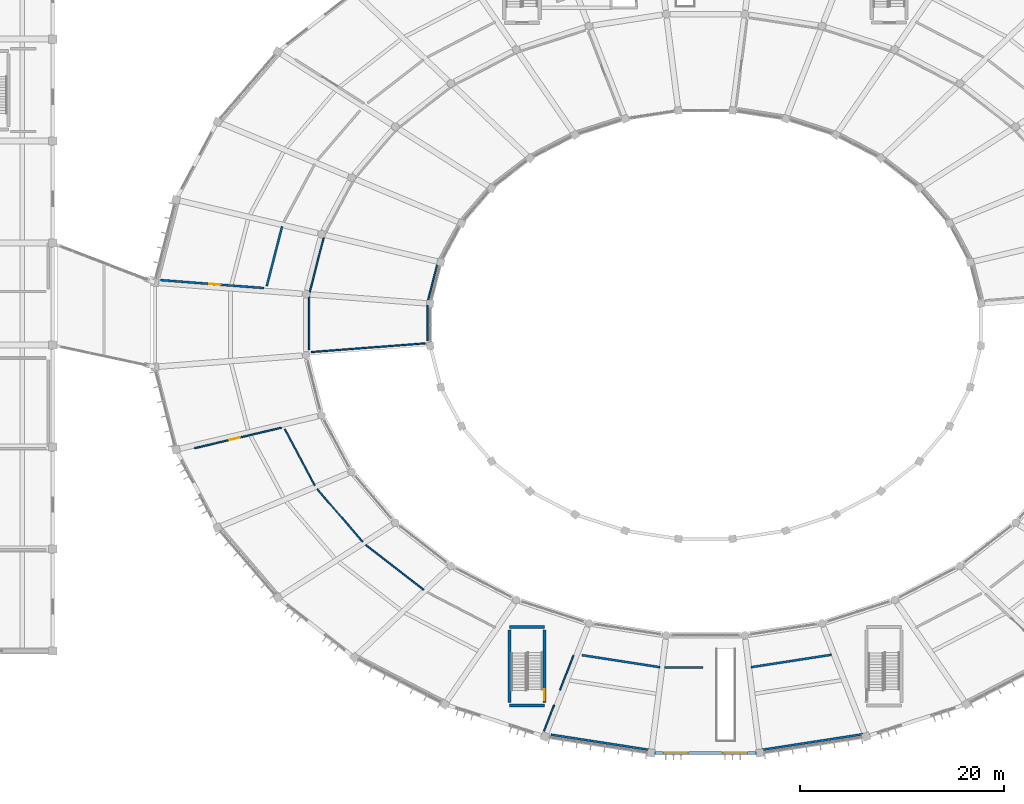
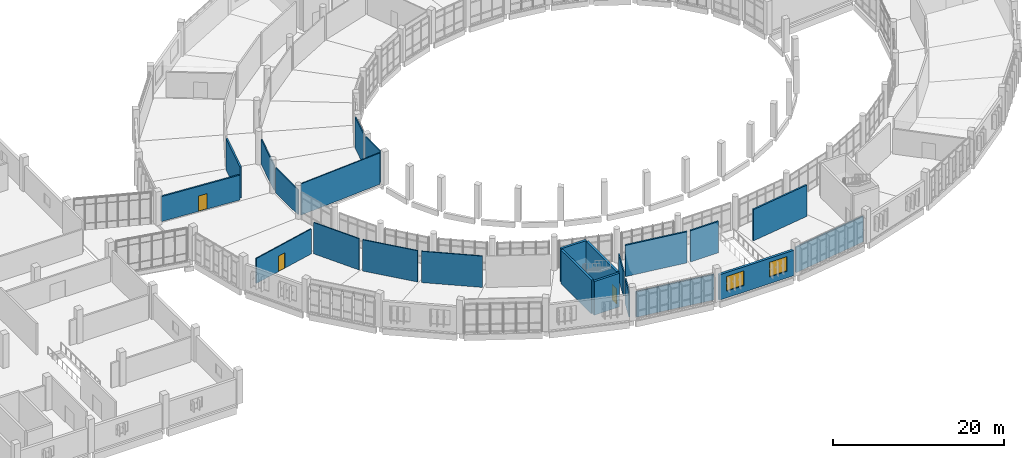
# One storey, part 116 of 179: 23 walls, 3 doors, 2 windows, 5 openings.
"""IFC4 building model written with IfcOpenShell, lengths in metres."""

from ifc_helpers import new_model, si_unit, direction, frame, frame_2d, origin, place, context, subcontext, project, spatial, rectangle, extrude, material, layer, layer_set, type_object, element, fill, save


model = new_model("IFC4")

# Units and contexts
model_context = context("Model", 3, precision=1e-05, world=origin(), true_north=direction((0.0, 1.0)))
body_context = subcontext(model_context, "Body", "Model", "MODEL_VIEW")
ifc_project = project(units=[si_unit("LENGTHUNIT", "METRE"), si_unit("AREAUNIT", "SQUARE_METRE"), si_unit("VOLUMEUNIT", "CUBIC_METRE"), si_unit("PLANEANGLEUNIT", "RADIAN"), si_unit("MASSUNIT", "GRAM", prefix="KILO")], contexts=[model_context])

# Site, building, storey
site_placement = place(None, origin())
site = spatial("IfcSite", under=ifc_project, at=site_placement, CompositionType="ELEMENT")
building_placement = place(site_placement, origin())
building = spatial("IfcBuilding", under=site, at=building_placement, Name="Corvandel Quay Wholesale Market", CompositionType="ELEMENT")
storey_placement = place(building_placement, frame((0.0, 0.0, 6.0)))
storey = spatial("IfcBuildingStorey", under=building, at=storey_placement, Name="L01", CompositionType="ELEMENT", Elevation=6.0)

# Wall
ifc_material_1 = material(Name="Gypsum-clad steel stud framing", Category="steel")
ifc_layer_1 = layer(ifc_material_1, 0.2099609375)
ifc_layer_set_1 = layer_set([ifc_layer_1], Name="Gypsum-clad steel stud framing")
wall_type_1 = type_object("IfcWallType", Name="Corridor Rated Partition PT02 210", PredefinedType="PARTITIONING", material=ifc_layer_set_1)
wall_1_placement = place(storey_placement, frame((72.483154296875, 51.642822265625, 0.0), z_axis=(0.0, 0.0, 1.0), x_axis=(-0.249112545169, -0.968474542691, 0.0)))
element("IfcWall", 1, at=wall_1_placement, inside=storey, type_object=wall_type_1, Name="Interior Wall IW-0464", PredefinedType="PARTITIONING", context=body_context, shape_type="SweptSolid", body=[
    extrude(rectangle(XDim=6.0390625, YDim=0.2099609375, at=frame_2d((3.01953125, 0.0))), origin(), (0.0, 0.0, 1.0), 4.4599609375),
])

# Wall, opening, door
wall_2_placement = place(storey_placement, frame((70.70458984375, 45.597900390625, 0.0), z_axis=(0.0, 0.0, 1.0), x_axis=(-0.997076634039, 0.076408022176, 0.0)))
wall_2 = element("IfcWall", 2, at=wall_2_placement, inside=storey, type_object=wall_type_1, Name="Interior Wall IW-0465", PredefinedType="PARTITIONING", context=body_context, shape_type="SweptSolid", body=[
    extrude(rectangle(XDim=10.160888671875, YDim=0.2099609375, at=frame_2d((5.08056640625, 0.0))), origin(), (0.0, 0.0, 1.0), 3.56005859375),
])
opening_1_placement = place(wall_2_placement, frame((4.22998046875, 0.0, 0.0)))
opening_1 = element("IfcOpeningElement", 3, at=opening_1_placement, cuts=wall_2, Name="Opening L01-D034", PredefinedType="OPENING", context=body_context, shape_type="SweptSolid", body=[
    extrude(rectangle(XDim=1.14990234375, YDim=2.199951171875, at=frame_2d((0.574951171875, 1.10009765625))), frame((0.0, 0.114990234375, 0.0), z_axis=(0.0, -1.0, 0.0), x_axis=(1.0, 0.0, 0.0)), (0.0, 0.0, 1.0), 0.22998046875),
])
ifc_material_2 = material(Name="HPL-faced hygienic timber core", Category="wood")
door_type_1 = type_object("IfcDoorType", Name="Inspection Suite Door ID20 1150x2200L", OperationType="SINGLE_SWING_LEFT", PredefinedType="DOOR", material=ifc_material_2)
door_1_placement = place(opening_1_placement, origin())
door_1 = element("IfcDoor", 4, at=door_1_placement, inside=storey, type_object=door_type_1, Name="Produce Sorting and Inspection Gallery West Door", OperationType="SINGLE_SWING_LEFT", OverallHeight=2.199951171875, OverallWidth=1.14990234375, PredefinedType="DOOR", context=body_context, shape_type="SweptSolid", body=[
    extrude(rectangle(XDim=1.14990234375, YDim=2.199951171875, at=frame_2d((0.574951171875, 1.10009765625))), frame((0.0, 0.02490234375, 0.0), z_axis=(0.0, -1.0, 0.0), x_axis=(1.0, 0.0, 0.0)), (0.0, 0.0, 1.0), 0.050048828125),
])
fill(opening_1, door_1)

# Walls
wall_3_placement = place(storey_placement, frame((101.893310546875, 9.598388671875, 0.0), z_axis=(0.0, 0.0, 1.0), x_axis=(0.988269723931, -0.152718540989, 0.0)))
element("IfcWall", 5, at=wall_3_placement, inside=storey, type_object=wall_type_1, Name="Interior Wall IW-0475", PredefinedType="PARTITIONING", context=body_context, shape_type="SweptSolid", body=[
    extrude(rectangle(XDim=7.739013671875, YDim=0.2099609375, at=frame_2d((3.86962890625, 0.0))), origin(), (0.0, 0.0, 1.0), 4.4599609375),
])
wall_4_placement = place(storey_placement, frame((109.97900390625, 8.383056640625, 0.0), z_axis=(0.0, 0.0, 1.0), x_axis=(1.0, 0.0, 0.0)))
element("IfcWall", 6, at=wall_4_placement, inside=storey, type_object=wall_type_1, Name="Interior Wall IW-0476", PredefinedType="PARTITIONING", context=body_context, shape_type="SweptSolid", body=[
    extrude(rectangle(XDim=3.7509765625, YDim=0.2099609375, at=frame_2d((1.87548828125, 0.0))), origin(), (0.0, 0.0, 1.0), 4.4599609375),
])
wall_5_placement = place(storey_placement, frame((118.45849609375, 8.41650390625, 0.0), z_axis=(0.0, 0.0, 1.0), x_axis=(0.988235184064, 0.152941887587, 0.0)))
element("IfcWall", 7, at=wall_5_placement, inside=storey, type_object=wall_type_1, Name="Interior Wall IW-0477", PredefinedType="PARTITIONING", context=body_context, shape_type="SweptSolid", body=[
    extrude(rectangle(XDim=7.983154296875, YDim=0.2099609375, at=frame_2d((3.99169921875, 0.0))), origin(), (0.0, 0.0, 1.0), 4.4599609375),
])
wall_6_placement = place(storey_placement, frame((129.468505859375, 1.853515625, 0.0), z_axis=(0.0, 0.0, 1.0), x_axis=(-0.988246107487, -0.152871289118, 0.0)))
element("IfcWall", 8, at=wall_6_placement, inside=storey, type_object=wall_type_1, Name="Interior Wall IW-0481", PredefinedType="PARTITIONING", context=body_context, shape_type="SweptSolid", body=[
    extrude(rectangle(XDim=10.072509765625, YDim=0.2099609375, at=frame_2d((5.0361328125, 0.0))), origin(), (0.0, 0.0, 1.0), 3.610107421875),
])
wall_7_placement = place(storey_placement, frame((108.485595703125, 0.313720703125, 0.0), z_axis=(0.0, 0.0, 1.0), x_axis=(-0.988247416172, 0.152862828804, 0.0)))
element("IfcWall", 9, at=wall_7_placement, inside=storey, type_object=wall_type_1, Name="Interior Wall IW-0482", PredefinedType="PARTITIONING", context=body_context, shape_type="SweptSolid", body=[
    extrude(rectangle(XDim=9.74560546875, YDim=0.2099609375, at=frame_2d((4.872802734375, 0.0))), origin(), (0.0, 0.0, 1.0), 3.610107421875),
])

# Wall, opening, door
ifc_material_3 = material(Name="Double-layer acoustic gypsum stud partition")
ifc_layer_2 = layer(ifc_material_3, 0.139892578125)
ifc_layer_set_2 = layer_set([ifc_layer_2], Name="Double-layer acoustic gypsum stud partition")
wall_type_2 = type_object("IfcWallType", Name="Office Acoustic Partition PT07 140", PredefinedType="PARTITIONING", material=ifc_layer_set_2)
wall_8_placement = place(storey_placement, frame((63.884521484375, 29.888427734375, 0.0), z_axis=(0.0, 0.0, 1.0), x_axis=(0.973273209665, 0.22965029795, 0.0)))
wall_8 = element("IfcWall", 10, at=wall_8_placement, inside=storey, type_object=wall_type_2, Name="Interior Wall IW-0468", PredefinedType="PARTITIONING", context=body_context, shape_type="SweptSolid", body=[
    extrude(rectangle(XDim=8.77490234375, YDim=0.139892578125, at=frame_2d((4.387451171875, 0.0))), origin(), (0.0, 0.0, 1.0), 3.56005859375),
])
opening_2_placement = place(wall_8_placement, frame((3.537109375, 0.0, 0.0)))
opening_2 = element("IfcOpeningElement", 11, at=opening_2_placement, cuts=wall_8, Name="Opening L01-D035", PredefinedType="OPENING", context=body_context, shape_type="SweptSolid", body=[
    extrude(rectangle(XDim=1.0, YDim=2.199951171875, at=frame_2d((0.5, 1.10009765625))), frame((0.0, 0.079833984375, 0.0), z_axis=(0.0, -1.0, 0.0), x_axis=(1.0, 0.0, 0.0)), (0.0, 0.0, 1.0), 0.159912109375),
])
ifc_material_4 = material(Name="Stained oak solid-core acoustic timber", Category="wood")
door_type_2 = type_object("IfcDoorType", Name="Office Entry Door ID10 1000x2200R", OperationType="SINGLE_SWING_RIGHT", PredefinedType="DOOR", material=ifc_material_4)
door_2_placement = place(opening_2_placement, origin())
door_2 = element("IfcDoor", 12, at=door_2_placement, inside=storey, type_object=door_type_2, Name="Specialty Greens Conditioning Room Door", OperationType="SINGLE_SWING_RIGHT", OverallHeight=2.199951171875, OverallWidth=1.0, PredefinedType="DOOR", context=body_context, shape_type="SweptSolid", body=[
    extrude(rectangle(XDim=1.0, YDim=2.199951171875, at=frame_2d((0.5, 1.10009765625))), frame((0.0, 0.02490234375, 0.0), z_axis=(0.0, -1.0, 0.0), x_axis=(1.0, 0.0, 0.0)), (0.0, 0.0, 1.0), 0.050048828125),
])
fill(opening_2, door_2)

# Walls
wall_9_placement = place(storey_placement, frame((72.742431640625, 31.760009765625, 0.0), z_axis=(0.0, 0.0, 1.0), x_axis=(0.470444322312, -0.882429679694, 0.0)))
element("IfcWall", 13, at=wall_9_placement, inside=storey, type_object=wall_type_2, Name="Interior Wall IW-0469", PredefinedType="PARTITIONING", context=body_context, shape_type="SweptSolid", body=[
    extrude(rectangle(XDim=6.251953125, YDim=0.139892578125, at=frame_2d((3.1259765625, 0.0))), origin(), (0.0, 0.0, 1.0), 4.4599609375),
])
wall_10_placement = place(storey_placement, frame((75.930419921875, 25.882080078125, 0.0), z_axis=(0.0, 0.0, 1.0), x_axis=(0.651531404756, -0.758621663688, 0.0)))
element("IfcWall", 14, at=wall_10_placement, inside=storey, type_object=wall_type_2, Name="Interior Wall IW-0470", PredefinedType="PARTITIONING", context=body_context, shape_type="SweptSolid", body=[
    extrude(rectangle(XDim=6.81640625, YDim=0.139892578125, at=frame_2d((3.408203125, 0.0))), origin(), (0.0, 0.0, 1.0), 4.4599609375),
])
wall_11_placement = place(storey_placement, frame((80.688720703125, 20.408935546875, 0.0), z_axis=(0.0, 0.0, 1.0), x_axis=(0.789403502116, -0.613874670309, 0.0)))
element("IfcWall", 15, at=wall_11_placement, inside=storey, type_object=wall_type_2, Name="Interior Wall IW-0471", PredefinedType="PARTITIONING", context=body_context, shape_type="SweptSolid", body=[
    extrude(rectangle(XDim=7.177001953125, YDim=0.139892578125, at=frame_2d((3.58837890625, 0.0))), origin(), (0.0, 0.0, 1.0), 4.4599609375),
])
wall_12_placement = place(storey_placement, frame((101.048095703125, 9.56298828125, 0.0), z_axis=(0.0, 0.0, 1.0), x_axis=(-0.363267601384, -0.931684844668, 0.0)))
element("IfcWall", 16, at=wall_12_placement, inside=storey, type_object=wall_type_2, Name="Interior Wall IW-0473", PredefinedType="PARTITIONING", context=body_context, shape_type="SweptSolid", body=[
    extrude(rectangle(XDim=3.62841796875, YDim=0.139892578125, at=frame_2d((1.814208984375, 0.0))), origin(), (0.0, 0.0, 1.0), 3.56005859375),
])
wall_13_placement = place(storey_placement, frame((99.16552734375, 4.735107421875, 0.0), z_axis=(0.0, 0.0, 1.0), x_axis=(-0.363270731714, -0.931683624134, 0.0)))
element("IfcWall", 17, at=wall_13_placement, inside=storey, type_object=wall_type_2, Name="Interior Wall IW-0474", PredefinedType="PARTITIONING", context=body_context, shape_type="SweptSolid", body=[
    extrude(rectangle(XDim=2.757568359375, YDim=0.139892578125, at=frame_2d((1.37890625, 0.0))), origin(), (0.0, 0.0, 1.0), 3.56005859375),
])
wall_14_placement = place(storey_placement, frame((75.1845703125, 45.177001953125, 0.0), z_axis=(0.0, 0.0, 1.0), x_axis=(0.247849533328, 0.968798538825, 0.0)))
element("IfcWall", 18, at=wall_14_placement, inside=storey, type_object=wall_type_2, Name="Interior Wall IW-0506", PredefinedType="PARTITIONING", context=body_context, shape_type="SweptSolid", body=[
    extrude(rectangle(XDim=5.5634765625, YDim=0.139892578125, at=frame_2d((2.78173828125, 0.0))), origin(), (0.0, 0.0, 1.0), 3.56005859375),
])
wall_15_placement = place(storey_placement, frame((87.71240234375, 47.980712890625, 0.0), z_axis=(0.0, 0.0, 1.0), x_axis=(-0.247511203202, -0.968885031513, 0.0)))
element("IfcWall", 19, at=wall_15_placement, inside=storey, type_object=wall_type_2, Name="Interior Wall IW-0518", PredefinedType="PARTITIONING", context=body_context, shape_type="SweptSolid", body=[
    extrude(rectangle(XDim=3.77294921875, YDim=0.139892578125, at=frame_2d((1.886474609375, 0.0))), origin(), (0.0, 0.0, 1.0), 4.4599609375),
])
wall_16_placement = place(storey_placement, frame((86.723876953125, 43.89208984375, 0.0), z_axis=(0.0, 0.0, 1.0), x_axis=(-0.001051966597, -0.999999446683, 0.0)))
element("IfcWall", 20, at=wall_16_placement, inside=storey, type_object=wall_type_2, Name="Interior Wall IW-0519", PredefinedType="PARTITIONING", context=body_context, shape_type="SweptSolid", body=[
    extrude(rectangle(XDim=3.481201171875, YDim=0.139892578125, at=frame_2d((1.74072265625, 0.0))), origin(), (0.0, 0.0, 1.0), 4.4599609375),
])
wall_17_placement = place(storey_placement, frame((86.50048828125, 40.17431640625, 0.0), z_axis=(0.0, 0.0, 1.0), x_axis=(-0.997076914575, -0.07640436127, 0.0)))
element("IfcWall", 21, at=wall_17_placement, inside=storey, type_object=wall_type_2, Name="Interior Wall IW-0520", PredefinedType="PARTITIONING", context=body_context, shape_type="SweptSolid", body=[
    extrude(rectangle(XDim=11.183837890625, YDim=0.139892578125, at=frame_2d((5.591796875, 0.0))), origin(), (0.0, 0.0, 1.0), 4.4599609375),
])
wall_18_placement = place(storey_placement, frame((75.1298828125, 39.52294921875, 0.0), z_axis=(0.0, 0.0, 1.0), x_axis=(0.0, 1.0, 0.0)))
element("IfcWall", 22, at=wall_18_placement, inside=storey, type_object=wall_type_2, Name="Interior Wall IW-0521", PredefinedType="PARTITIONING", context=body_context, shape_type="SweptSolid", body=[
    extrude(rectangle(XDim=5.220947265625, YDim=0.139892578125, at=frame_2d((2.6103515625, 0.0))), origin(), (0.0, 0.0, 1.0), 3.56005859375),
])

# Wall, openings, windows
ifc_material_5 = material(Name="Buff-pigmented precast concrete C45/55", Category="concrete")
ifc_layer_3 = layer(ifc_material_5, 0.320068359375)
ifc_layer_set_3 = layer_set([ifc_layer_3], Name="Buff-pigmented precast concrete C45/55")
wall_type_3 = type_object("IfcWallType", Name="Sandstone Buff Precast Wall EW02 320", PredefinedType="SOLIDWALL", material=ifc_layer_set_3)
wall_19_placement = place(storey_placement, frame((108.950927734375, 0.0, 0.0), z_axis=(0.0, 0.0, 1.0), x_axis=(1.0, 0.0, 0.0)))
wall_19 = element("IfcWall", 23, at=wall_19_placement, inside=storey, type_object=wall_type_3, Name="Exterior Wall EW-0065", PredefinedType="SOLIDWALL", context=body_context, shape_type="SweptSolid", body=[
    extrude(rectangle(XDim=10.09814453125, YDim=0.320068359375, at=frame_2d((5.049072265625, 0.0))), origin(), (0.0, 0.0, 1.0), 3.610107421875),
])
opening_3_placement = place(wall_19_placement, frame((0.949951171875, 0.0, 0.949951171875)))
opening_3 = element("IfcOpeningElement", 24, at=opening_3_placement, cuts=wall_19, Name="Opening L01-W019", PredefinedType="OPENING", context=body_context, shape_type="SweptSolid", body=[
    extrude(rectangle(XDim=2.39990234375, YDim=2.10009765625, at=frame_2d((1.199951171875, 1.050048828125))), frame((0.0, 0.169921875, 0.0), z_axis=(0.0, -1.0, 0.0), x_axis=(1.0, 0.0, 0.0)), (0.0, 0.0, 1.0), 0.340087890625),
])
opening_4_placement = place(wall_19_placement, frame((6.748046875, 0.0, 0.949951171875)))
opening_4 = element("IfcOpeningElement", 25, at=opening_4_placement, cuts=wall_19, Name="Opening L01-W020", PredefinedType="OPENING", context=body_context, shape_type="SweptSolid", body=[
    extrude(rectangle(XDim=2.39990234375, YDim=2.10009765625, at=frame_2d((1.199951171875, 1.050048828125))), frame((0.0, 0.169921875, 0.0), z_axis=(0.0, -1.0, 0.0), x_axis=(1.0, 0.0, 0.0)), (0.0, 0.0, 1.0), 0.340087890625),
])
ifc_material_6 = material(Name="Thermally broken bronze anodised aluminium and solar-control low-E double glazing", Category="aluminium")
window_type = type_object("IfcWindowType", Name="Produce Gallery Punched Window WN02 2400x2100", PartitioningType="SINGLE_PANEL", PredefinedType="WINDOW", material=ifc_material_6)
window_1_placement = place(opening_3_placement, origin())
window_1 = element("IfcWindow", 26, at=window_1_placement, inside=storey, type_object=window_type, Name="Window L01-W019", OverallHeight=2.10009765625, OverallWidth=2.39990234375, PartitioningType="SINGLE_PANEL", PredefinedType="WINDOW", context=body_context, shape_type="SweptSolid", body=[
    extrude(rectangle(XDim=2.39990234375, YDim=2.10009765625, at=frame_2d((1.199951171875, 1.050048828125))), frame((0.0, 0.030029296875, 0.0), z_axis=(0.0, -1.0, 0.0), x_axis=(1.0, 0.0, 0.0)), (0.0, 0.0, 1.0), 0.06005859375),
])
fill(opening_3, window_1)
window_2_placement = place(opening_4_placement, origin())
window_2 = element("IfcWindow", 27, at=window_2_placement, inside=storey, type_object=window_type, Name="Window L01-W020", OverallHeight=2.10009765625, OverallWidth=2.39990234375, PartitioningType="SINGLE_PANEL", PredefinedType="WINDOW", context=body_context, shape_type="SweptSolid", body=[
    extrude(rectangle(XDim=2.39990234375, YDim=2.10009765625, at=frame_2d((1.199951171875, 1.050048828125))), frame((0.0, 0.030029296875, 0.0), z_axis=(0.0, -1.0, 0.0), x_axis=(1.0, 0.0, 0.0)), (0.0, 0.0, 1.0), 0.06005859375),
])
fill(opening_4, window_2)

# Walls
ifc_material_7 = material(Name="Concrete C40/50", Category="concrete")
ifc_layer_4 = layer(ifc_material_7, 0.300048828125)
ifc_layer_set_4 = layer_set([ifc_layer_4], Name="Concrete C40/50")
wall_type_4 = type_object("IfcWallType", Name="Stair Shaft Shear Wall SW02 300", PredefinedType="SHEAR", material=ifc_layer_set_4)
for number, where, z_axis, x_axis, name in (
    (28, (94.800048828125, 4.64990234375, 0.0), (0.0, 0.0, 1.0), (1.0, 0.0, 0.0), "Shear Wall IW-0029"),
    (29, (94.800048828125, 12.35009765625, 0.0), (0.0, 0.0, 1.0), (1.0, 0.0, 0.0), "Shear Wall IW-0030"),
):
    element("IfcWall", number, at=place(storey_placement, frame(where, z_axis=z_axis, x_axis=x_axis)), inside=storey, type_object=wall_type_4, Name=name, PredefinedType="SHEAR", context=body_context, shape_type="SweptSolid", body=[
        extrude(rectangle(XDim=3.39990234375, YDim=0.300048828125, at=frame_2d((1.699951171875, 0.0))), origin(), (0.0, 0.0, 1.0), 4.800048828125),
    ])
wall_20_placement = place(storey_placement, frame((94.800048828125, 4.93994140625, 0.0), z_axis=(0.0, 0.0, 1.0), x_axis=(0.0, 1.0, 0.0)))
element("IfcWall", 30, at=wall_20_placement, inside=storey, type_object=wall_type_4, Name="Shear Wall IW-0031", PredefinedType="SHEAR", context=body_context, shape_type="SweptSolid", body=[
    extrude(rectangle(XDim=7.1201171875, YDim=0.300048828125, at=frame_2d((3.56005859375, 0.0))), origin(), (0.0, 0.0, 1.0), 4.800048828125),
])

# Wall, opening, door
wall_21_placement = place(storey_placement, frame((98.199951171875, 4.93994140625, 0.0), z_axis=(0.0, 0.0, 1.0), x_axis=(0.0, 1.0, 0.0)))
wall_21 = element("IfcWall", 31, at=wall_21_placement, inside=storey, type_object=wall_type_4, Name="Shear Wall IW-0032", PredefinedType="SHEAR", context=body_context, shape_type="SweptSolid", body=[
    extrude(rectangle(XDim=7.1201171875, YDim=0.300048828125, at=frame_2d((3.56005859375, 0.0))), origin(), (0.0, 0.0, 1.0), 4.800048828125),
])
opening_5_placement = place(wall_21_placement, frame((0.219970703125, 0.0, 0.0)))
opening_5 = element("IfcOpeningElement", 32, at=opening_5_placement, cuts=wall_21, Name="Opening L01-D004", PredefinedType="OPENING", context=body_context, shape_type="SweptSolid", body=[
    extrude(rectangle(XDim=1.10009765625, YDim=2.199951171875, at=frame_2d((0.550048828125, 1.10009765625))), frame((0.0, 0.159912109375, 0.0), z_axis=(0.0, -1.0, 0.0), x_axis=(1.0, 0.0, 0.0)), (0.0, 0.0, 1.0), 0.320068359375),
])
ifc_material_8 = material(Name="Galvanised fire-rated hollow steel", Category="steel")
door_type_3 = type_object("IfcDoorType", Name="Exit Stair Fire Door ID02 1100x2200R", OperationType="SINGLE_SWING_RIGHT", PredefinedType="DOOR", material=ifc_material_8)
door_3_placement = place(opening_5_placement, origin())
door_3 = element("IfcDoor", 33, at=door_3_placement, inside=storey, type_object=door_type_3, Name="Exit Stair Door SH03-L01", OperationType="SINGLE_SWING_RIGHT", OverallHeight=2.199951171875, OverallWidth=1.10009765625, PredefinedType="DOOR", context=body_context, shape_type="SweptSolid", body=[
    extrude(rectangle(XDim=1.10009765625, YDim=2.199951171875, at=frame_2d((0.550048828125, 1.10009765625))), frame((0.0, 0.02490234375, 0.0), z_axis=(0.0, -1.0, 0.0), x_axis=(1.0, 0.0, 0.0)), (0.0, 0.0, 1.0), 0.050048828125),
])
fill(opening_5, door_3)

save(model, "model.ifc")
